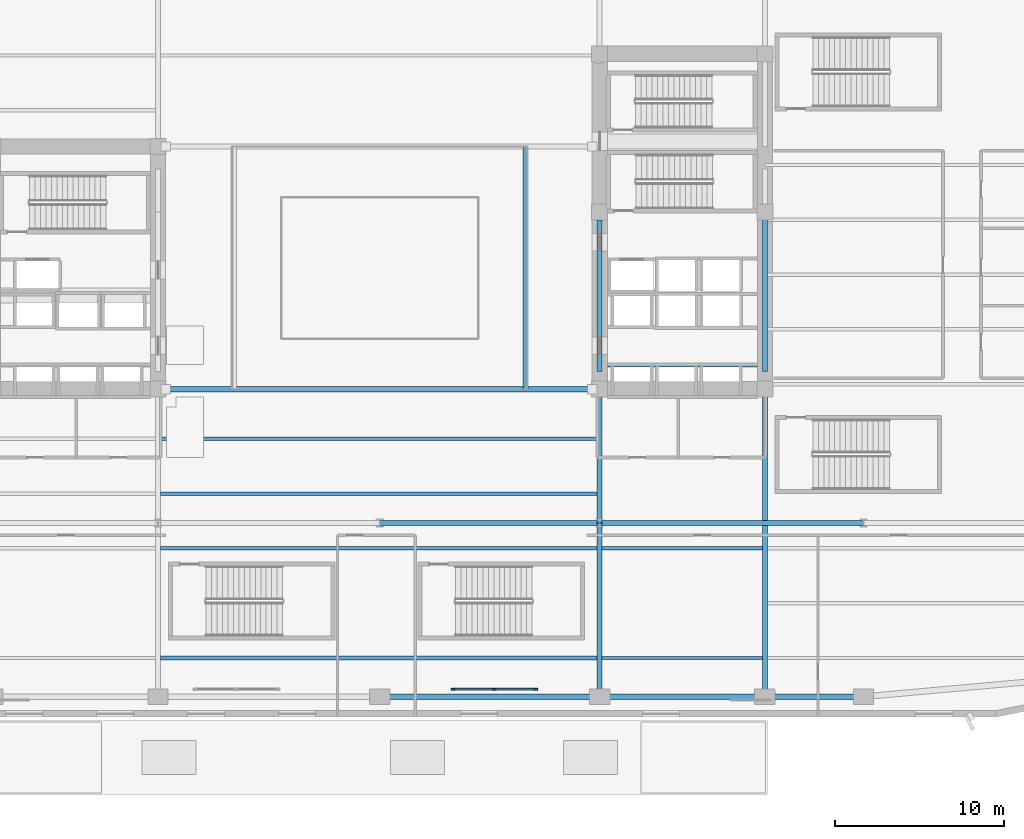
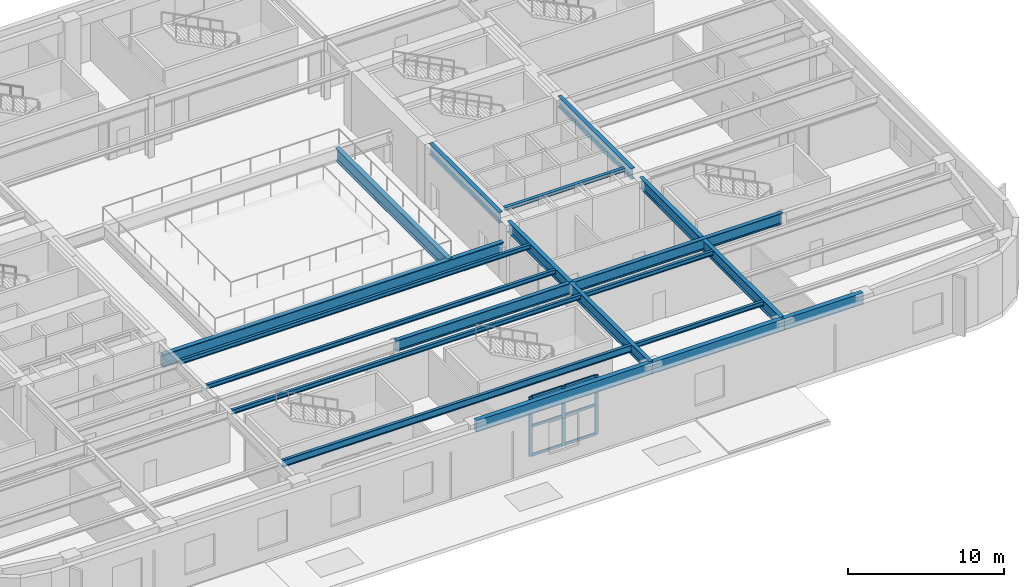
# One storey, part 3 of 24: 20 beams, 9 members, 1 element without a shape of its own.
"""IFC4 building model written with IfcOpenShell, lengths in metres."""

from ifc_helpers import new_model, si_unit, direction, frame, origin, origin_2d, place, context, subcontext, project, spatial, rectangle, hollow_rectangle, i_section, extrude, material, material_profile, profile_set, type_object, element, aggregate, save


model = new_model("IFC4")

# Units and contexts
model_context = context("Model", 3, precision=1e-05, world=origin(), true_north=direction((0.0, 1.0)))
body_context = subcontext(model_context, "Body", "Model", "MODEL_VIEW")
ifc_project = project(units=[si_unit("LENGTHUNIT", "METRE"), si_unit("AREAUNIT", "SQUARE_METRE"), si_unit("VOLUMEUNIT", "CUBIC_METRE"), si_unit("PLANEANGLEUNIT", "RADIAN"), si_unit("MASSUNIT", "GRAM", prefix="KILO")], contexts=[model_context])

# Site, building, storey
site_placement = place(None, origin())
site = spatial("IfcSite", under=ifc_project, at=site_placement, CompositionType="ELEMENT")
building_placement = place(site_placement, origin())
building = spatial("IfcBuilding", under=site, at=building_placement, Name="Kolvaren Arena Tower", CompositionType="ELEMENT")
storey_placement = place(building_placement, frame((0.0, 0.0, 8.0)))
storey = spatial("IfcBuildingStorey", under=building, at=storey_placement, Name="L01", CompositionType="ELEMENT", Elevation=8.0)

# Beam
ifc_material_1 = material(Name="Steel CSA G40.21 350W", Category="steel")
ifc_material_profile_1 = material_profile(ifc_material_1, i_section(OverallWidth=0.2119140625, OverallDepth=0.54296875, WebThickness=0.01318359375, FlangeThickness=0.0244140625, FilletRadius=0.013916015625, at=origin_2d()), Name="W530x150")
ifc_profile_set_1 = profile_set([ifc_material_profile_1], Name="Steel CSA G40.21 350W")
beam_type_1 = type_object("IfcBeamType", Name="BEAM-F1", PredefinedType="BEAM", material=ifc_profile_set_1)
beam_1_placement = place(storey_placement, frame((24.49609375, 3.5, 4.37841796875), z_axis=(1.0, 0.0, 0.0), x_axis=(0.0, 1.0, 0.0)))
element("IfcBeam", 1, at=beam_1_placement, inside=storey, type_object=beam_type_1, Name="Composite Floor Beam (L01)", PredefinedType="BEAM", context=body_context, shape_type="SweptSolid", body=[
    extrude(i_section(OverallWidth=0.2119140625, OverallDepth=0.54296875, WebThickness=0.01318359375, FlangeThickness=0.0244140625, FilletRadius=0.013916015625, at=origin_2d()), origin(), (0.0, 0.0, 1.0), 25.907958984375),
])

# Curtain wall, members
ifc_material_2 = material(Name="Anodised aluminium unitised curtain wall", Category="aluminium")
curtain_wall_type = type_object("IfcCurtainWallType", Name="CW-SYS-02", PredefinedType="USERDEFINED", material=ifc_material_2)
curtain_wall_placement = place(storey_placement, origin())
curtain_wall = element("IfcCurtainWall", 2, at=curtain_wall_placement, inside=storey, type_object=curtain_wall_type, Name="Arena Concourse Grand Portal Curtain Wall (L01)", ObjectType="UNITISED CURTAIN WALL", PredefinedType="USERDEFINED")
ifc_material_3 = material(Name="Anodised aluminium 6063-T6", Category="aluminium")
ifc_material_profile_2 = material_profile(ifc_material_3, rectangle(XDim=0.10009765625, YDim=0.239990234375, at=origin_2d()), Name="ALU-100x240")
ifc_profile_set_2 = profile_set([ifc_material_profile_2], Name="Anodised aluminium 6063-T6")
member_type_1 = type_object("IfcMemberType", Name="CWM-HVY", PredefinedType="MULLION", material=ifc_profile_set_2)
member_1_placement = place(storey_placement, frame((41.85009765625, 1.64990234375, 0.0), z_axis=(0.0, 0.0, 1.0), x_axis=(0.0, 1.0, 0.0)))
member_1 = element("IfcMember", 3, at=member_1_placement, type_object=member_type_1, Name="CW2 mullion 1", PredefinedType="MULLION", context=body_context, shape_type="SweptSolid", body=[
    extrude(rectangle(XDim=0.10009765625, YDim=0.239990234375, at=origin_2d()), origin(), (0.0, 0.0, 1.0), 4.64990234375),
])
member_2_placement = place(storey_placement, frame((44.300048828125, 1.64990234375, 0.0), z_axis=(0.0, 0.0, 1.0), x_axis=(0.0, 1.0, 0.0)))
member_2 = element("IfcMember", 4, at=member_2_placement, type_object=member_type_1, Name="CW2 mullion 2", PredefinedType="MULLION", context=body_context, shape_type="SweptSolid", body=[
    extrude(rectangle(XDim=0.10009765625, YDim=0.239990234375, at=origin_2d()), origin(), (0.0, 0.0, 1.0), 4.64990234375),
])
member_3_placement = place(storey_placement, frame((46.75, 1.64990234375, 0.0), z_axis=(0.0, 0.0, 1.0), x_axis=(0.0, 1.0, 0.0)))
member_3 = element("IfcMember", 5, at=member_3_placement, type_object=member_type_1, Name="CW2 mullion 3", PredefinedType="MULLION", context=body_context, shape_type="SweptSolid", body=[
    extrude(rectangle(XDim=0.10009765625, YDim=0.239990234375, at=origin_2d()), origin(), (0.0, 0.0, 1.0), 4.64990234375),
])
ifc_material_profile_3 = material_profile(ifc_material_3, rectangle(XDim=0.10009765625, YDim=0.199951171875, at=origin_2d()), Name="ALU-100x200")
ifc_profile_set_3 = profile_set([ifc_material_profile_3], Name="Anodised aluminium 6063-T6")
member_type_2 = type_object("IfcMemberType", Name="CWT-HVY", PredefinedType="USERDEFINED", material=ifc_profile_set_3)
member_4_placement = place(storey_placement, frame((41.89990234375, 1.64990234375, 0.050048828125), z_axis=(1.0, 0.0, 0.0), x_axis=(0.0, 1.0, 0.0)))
member_4 = element("IfcMember", 6, at=member_4_placement, type_object=member_type_2, Name="CW2 transom 1.1", ObjectType="TRANSOM", PredefinedType="USERDEFINED", context=body_context, shape_type="SweptSolid", body=[
    extrude(rectangle(XDim=0.10009765625, YDim=0.199951171875, at=origin_2d()), origin(), (0.0, 0.0, 1.0), 2.35009765625),
])
member_5_placement = place(storey_placement, frame((41.89990234375, 1.64990234375, 2.324951171875), z_axis=(1.0, 0.0, 0.0), x_axis=(0.0, 1.0, 0.0)))
member_5 = element("IfcMember", 7, at=member_5_placement, type_object=member_type_2, Name="CW2 transom 1.2", ObjectType="TRANSOM", PredefinedType="USERDEFINED", context=body_context, shape_type="SweptSolid", body=[
    extrude(rectangle(XDim=0.10009765625, YDim=0.199951171875, at=origin_2d()), origin(), (0.0, 0.0, 1.0), 2.35009765625),
])
member_6_placement = place(storey_placement, frame((41.89990234375, 1.64990234375, 4.60009765625), z_axis=(1.0, 0.0, 0.0), x_axis=(0.0, 1.0, 0.0)))
member_6 = element("IfcMember", 8, at=member_6_placement, type_object=member_type_2, Name="CW2 transom 1.3", ObjectType="TRANSOM", PredefinedType="USERDEFINED", context=body_context, shape_type="SweptSolid", body=[
    extrude(rectangle(XDim=0.10009765625, YDim=0.199951171875, at=origin_2d()), origin(), (0.0, 0.0, 1.0), 2.35009765625),
])
member_7_placement = place(storey_placement, frame((44.35009765625, 1.64990234375, 0.050048828125), z_axis=(1.0, 0.0, 0.0), x_axis=(0.0, 1.0, 0.0)))
member_7 = element("IfcMember", 9, at=member_7_placement, type_object=member_type_2, Name="CW2 transom 2.1", ObjectType="TRANSOM", PredefinedType="USERDEFINED", context=body_context, shape_type="SweptSolid", body=[
    extrude(rectangle(XDim=0.10009765625, YDim=0.199951171875, at=origin_2d()), origin(), (0.0, 0.0, 1.0), 2.349853515625),
])
member_8_placement = place(storey_placement, frame((44.35009765625, 1.64990234375, 2.324951171875), z_axis=(1.0, 0.0, 0.0), x_axis=(0.0, 1.0, 0.0)))
member_8 = element("IfcMember", 10, at=member_8_placement, type_object=member_type_2, Name="CW2 transom 2.2", ObjectType="TRANSOM", PredefinedType="USERDEFINED", context=body_context, shape_type="SweptSolid", body=[
    extrude(rectangle(XDim=0.10009765625, YDim=0.199951171875, at=origin_2d()), origin(), (0.0, 0.0, 1.0), 2.349853515625),
])
member_9_placement = place(storey_placement, frame((44.35009765625, 1.64990234375, 4.60009765625), z_axis=(1.0, 0.0, 0.0), x_axis=(0.0, 1.0, 0.0)))
member_9 = element("IfcMember", 11, at=member_9_placement, type_object=member_type_2, Name="CW2 transom 2.3", ObjectType="TRANSOM", PredefinedType="USERDEFINED", context=body_context, shape_type="SweptSolid", body=[
    extrude(rectangle(XDim=0.10009765625, YDim=0.199951171875, at=origin_2d()), origin(), (0.0, 0.0, 1.0), 2.349853515625),
])
aggregate(curtain_wall, [member_1, member_2, member_3, member_4, member_5, member_6, member_7, member_8, member_9])

# Beams
ifc_material_profile_4 = material_profile(ifc_material_1, i_section(OverallWidth=0.2919921875, OverallDepth=0.85498046875, WebThickness=0.02099609375, FlangeThickness=0.03564453125, FilletRadius=0.01806640625, at=origin_2d()), Name="W840x299")
ifc_profile_set_4 = profile_set([ifc_material_profile_4], Name="Steel CSA G40.21 350W")
beam_type_2 = type_object("IfcBeamType", Name="GIRD-P1", PredefinedType="BEAM", material=ifc_profile_set_4)
beam_2_placement = place(storey_placement, frame((37.5, 11.5, 4.222412109375), z_axis=(1.0, 0.0, 0.0), x_axis=(0.0, 1.0, 0.0)))
element("IfcBeam", 12, at=beam_2_placement, inside=storey, type_object=beam_type_2, Name="Primary Floor Girder (L01)", PredefinedType="BEAM", context=body_context, shape_type="SweptSolid", body=[
    extrude(i_section(OverallWidth=0.2919921875, OverallDepth=0.85498046875, WebThickness=0.02099609375, FlangeThickness=0.03564453125, FilletRadius=0.01806640625, at=origin_2d()), origin(), (0.0, 0.0, 1.0), 13.050048828125),
])
beam_3_placement = place(storey_placement, frame((50.550048828125, 11.5, 4.222412109375), z_axis=(1.0, 0.0, 0.0), x_axis=(0.0, 1.0, 0.0)))
element("IfcBeam", 13, at=beam_3_placement, inside=storey, type_object=beam_type_2, Name="Primary Floor Girder (L01)", PredefinedType="BEAM", context=body_context, shape_type="SweptSolid", body=[
    extrude(i_section(OverallWidth=0.2919921875, OverallDepth=0.85498046875, WebThickness=0.02099609375, FlangeThickness=0.03564453125, FilletRadius=0.01806640625, at=origin_2d()), origin(), (0.0, 0.0, 1.0), 15.64990234375),
])
beam_4_placement = place(storey_placement, frame((50.550048828125, 1.199951171875, 4.222412109375), z_axis=(0.0, 1.0, 0.0), x_axis=(-1.0, 0.0, 0.0)))
element("IfcBeam", 14, at=beam_4_placement, inside=storey, type_object=beam_type_2, Name="Primary Floor Girder (L01)", PredefinedType="BEAM", context=body_context, shape_type="SweptSolid", body=[
    extrude(i_section(OverallWidth=0.2919921875, OverallDepth=0.85498046875, WebThickness=0.02099609375, FlangeThickness=0.03564453125, FilletRadius=0.01806640625, at=origin_2d()), origin(), (0.0, 0.0, 1.0), 10.300048828125),
])
beam_5_placement = place(storey_placement, frame((50.550048828125, 11.5, 4.222412109375), z_axis=(0.0, 1.0, 0.0), x_axis=(-1.0, 0.0, 0.0)))
element("IfcBeam", 15, at=beam_5_placement, inside=storey, type_object=beam_type_2, Name="Primary Floor Girder (L01)", PredefinedType="BEAM", context=body_context, shape_type="SweptSolid", body=[
    extrude(i_section(OverallWidth=0.2919921875, OverallDepth=0.85498046875, WebThickness=0.02099609375, FlangeThickness=0.03564453125, FilletRadius=0.01806640625, at=origin_2d()), origin(), (0.0, 0.0, 1.0), 7.949951171875),
])
beam_6_placement = place(storey_placement, frame((50.550048828125, 20.5, 4.222412109375), z_axis=(0.0, 1.0, 0.0), x_axis=(-1.0, 0.0, 0.0)))
element("IfcBeam", 16, at=beam_6_placement, inside=storey, type_object=beam_type_2, Name="Primary Floor Girder (L01)", PredefinedType="BEAM", context=body_context, shape_type="SweptSolid", body=[
    extrude(i_section(OverallWidth=0.2919921875, OverallDepth=0.85498046875, WebThickness=0.02099609375, FlangeThickness=0.03564453125, FilletRadius=0.01806640625, at=origin_2d()), origin(), (0.0, 0.0, 1.0), 8.989990234375),
])
beam_7_placement = place(storey_placement, frame((60.35009765625, 1.199951171875, 4.222412109375), z_axis=(0.0, 1.0, 0.0), x_axis=(-1.0, 0.0, 0.0)))
element("IfcBeam", 17, at=beam_7_placement, inside=storey, type_object=beam_type_2, Name="Primary Floor Girder (L01)", PredefinedType="BEAM", context=body_context, shape_type="SweptSolid", body=[
    extrude(i_section(OverallWidth=0.2919921875, OverallDepth=0.85498046875, WebThickness=0.02099609375, FlangeThickness=0.03564453125, FilletRadius=0.01806640625, at=origin_2d()), origin(), (0.0, 0.0, 1.0), 10.154052734375),
])
beam_8_placement = place(storey_placement, frame((60.35009765625, 11.64599609375, 4.222412109375), z_axis=(0.0, 1.0, 0.0), x_axis=(-1.0, 0.0, 0.0)))
element("IfcBeam", 18, at=beam_8_placement, inside=storey, type_object=beam_type_2, Name="Primary Floor Girder (L01)", PredefinedType="BEAM", context=body_context, shape_type="SweptSolid", body=[
    extrude(i_section(OverallWidth=0.2919921875, OverallDepth=0.85498046875, WebThickness=0.02099609375, FlangeThickness=0.03564453125, FilletRadius=0.01806640625, at=origin_2d()), origin(), (0.0, 0.0, 1.0), 7.803955078125),
])
beam_9_placement = place(storey_placement, frame((60.35009765625, 20.5, 4.222412109375), z_axis=(0.0, 1.0, 0.0), x_axis=(-1.0, 0.0, 0.0)))
element("IfcBeam", 19, at=beam_9_placement, inside=storey, type_object=beam_type_2, Name="Primary Floor Girder (L01)", PredefinedType="BEAM", context=body_context, shape_type="SweptSolid", body=[
    extrude(i_section(OverallWidth=0.2919921875, OverallDepth=0.85498046875, WebThickness=0.02099609375, FlangeThickness=0.03564453125, FilletRadius=0.01806640625, at=origin_2d()), origin(), (0.0, 0.0, 1.0), 9.449951171875),
])
ifc_material_profile_5 = material_profile(ifc_material_1, i_section(OverallWidth=0.202880859375, OverallDepth=0.346923828125, WebThickness=0.0078125, FlangeThickness=0.013427734375, FilletRadius=0.010986328125, at=origin_2d()), Name="W360x64")
ifc_profile_set_5 = profile_set([ifc_material_profile_5], Name="Steel CSA G40.21 350W")
beam_type_3 = type_object("IfcBeamType", Name="JOIST-01", PredefinedType="JOIST", material=ifc_profile_set_5)
beam_10_placement = place(storey_placement, frame((50.696044921875, 3.5, 4.4765625), z_axis=(1.0, 0.0, 0.0), x_axis=(0.0, 1.0, 0.0)))
element("IfcBeam", 20, at=beam_10_placement, inside=storey, type_object=beam_type_3, Name="Composite Floor Joist (L01)", PredefinedType="JOIST", context=body_context, shape_type="SweptSolid", body=[
    extrude(i_section(OverallWidth=0.202880859375, OverallDepth=0.346923828125, WebThickness=0.0078125, FlangeThickness=0.013427734375, FilletRadius=0.010986328125, at=origin_2d()), origin(), (0.0, 0.0, 1.0), 9.508056640625),
])
beam_11_placement = place(storey_placement, frame((24.49609375, 10.0, 4.4765625), z_axis=(1.0, 0.0, 0.0), x_axis=(0.0, 1.0, 0.0)))
element("IfcBeam", 21, at=beam_11_placement, inside=storey, type_object=beam_type_3, Name="Composite Floor Joist (L01)", PredefinedType="JOIST", context=body_context, shape_type="SweptSolid", body=[
    extrude(i_section(OverallWidth=0.202880859375, OverallDepth=0.346923828125, WebThickness=0.0078125, FlangeThickness=0.013427734375, FilletRadius=0.010986328125, at=origin_2d()), origin(), (0.0, 0.0, 1.0), 25.907958984375),
])
beam_12_placement = place(storey_placement, frame((50.696044921875, 10.0, 4.4765625), z_axis=(1.0, 0.0, 0.0), x_axis=(0.0, 1.0, 0.0)))
element("IfcBeam", 22, at=beam_12_placement, inside=storey, type_object=beam_type_3, Name="Composite Floor Joist (L01)", PredefinedType="JOIST", context=body_context, shape_type="SweptSolid", body=[
    extrude(i_section(OverallWidth=0.202880859375, OverallDepth=0.346923828125, WebThickness=0.0078125, FlangeThickness=0.013427734375, FilletRadius=0.010986328125, at=origin_2d()), origin(), (0.0, 0.0, 1.0), 9.508056640625),
])
for number, where, z_axis, x_axis, name in (
    (23, (24.49609375, 13.25, 4.4765625), (1.0, 0.0, 0.0), (0.0, 1.0, 0.0), "Composite Floor Joist (L01)"),
    (24, (24.49609375, 16.5, 4.4765625), (1.0, 0.0, 0.0), (0.0, 1.0, 0.0), "Composite Floor Joist (L01)"),
):
    element("IfcBeam", number, at=place(storey_placement, frame(where, z_axis=z_axis, x_axis=x_axis)), inside=storey, type_object=beam_type_3, Name=name, PredefinedType="JOIST", context=body_context, shape_type="SweptSolid", body=[
        extrude(i_section(OverallWidth=0.202880859375, OverallDepth=0.346923828125, WebThickness=0.0078125, FlangeThickness=0.013427734375, FilletRadius=0.010986328125, at=origin_2d()), origin(), (0.0, 0.0, 1.0), 25.907958984375),
    ])
ifc_material_profile_6 = material_profile(ifc_material_1, i_section(OverallWidth=0.25390625, OverallDepth=0.2529296875, WebThickness=0.008544921875, FlangeThickness=0.01416015625, FilletRadius=0.010009765625, at=origin_2d()), Name="W250x73")
ifc_profile_set_6 = profile_set([ifc_material_profile_6], Name="Steel CSA G40.21 350W")
beam_type_4 = type_object("IfcBeamType", Name="LINT-02", PredefinedType="LINTEL", material=ifc_profile_set_6)
beam_13_placement = place(storey_placement, frame((51.0, 20.8798828125, 4.5234375), z_axis=(1.0, 0.0, 0.0), x_axis=(0.0, 1.0, 0.0)))
element("IfcBeam", 25, at=beam_13_placement, inside=storey, type_object=beam_type_4, Name="East Lift Lobby Portal Lintel (L01)", PredefinedType="LINTEL", context=body_context, shape_type="SweptSolid", body=[
    extrude(i_section(OverallWidth=0.25390625, OverallDepth=0.2529296875, WebThickness=0.008544921875, FlangeThickness=0.01416015625, FilletRadius=0.010009765625, at=origin_2d()), origin(), (0.0, 0.0, 1.0), 8.89990234375),
])
ifc_material_profile_7 = material_profile(ifc_material_1, i_section(OverallWidth=0.323974609375, OverallDepth=1.011962890625, WebThickness=0.02685546875, FlangeThickness=0.0458984375, FilletRadius=0.02197265625, at=origin_2d()), Name="W1000x443")
ifc_profile_set_7 = profile_set([ifc_material_profile_7], Name="Steel CSA G40.21 350W")
beam_type_5 = type_object("IfcBeamType", Name="RAKER-01", PredefinedType="USERDEFINED", material=ifc_profile_set_7)
beam_14_placement = place(storey_placement, frame((24.800048828125, 19.449951171875, 2.68408203125), z_axis=(1.0, 0.0, 0.0), x_axis=(0.0, 1.0, 0.0)))
element("IfcBeam", 26, at=beam_14_placement, inside=storey, type_object=beam_type_5, Name="Arena Bowl Raker Girder (L01 S)", ObjectType="RAKER GIRDER", PredefinedType="USERDEFINED", context=body_context, shape_type="SweptSolid", body=[
    extrude(i_section(OverallWidth=0.323974609375, OverallDepth=1.011962890625, WebThickness=0.02685546875, FlangeThickness=0.0458984375, FilletRadius=0.02197265625, at=origin_2d()), origin(), (0.0, 0.0, 1.0), 25.300048828125),
])
beam_15_placement = place(storey_placement, frame((46.14990234375, 19.449951171875, 2.68408203125), z_axis=(0.0, 1.0, 0.0), x_axis=(-1.0, 0.0, 0.0)))
element("IfcBeam", 27, at=beam_15_placement, inside=storey, type_object=beam_type_5, Name="Arena Bowl Raker Girder (L01 E)", ObjectType="RAKER GIRDER", PredefinedType="USERDEFINED", context=body_context, shape_type="SweptSolid", body=[
    extrude(i_section(OverallWidth=0.323974609375, OverallDepth=1.011962890625, WebThickness=0.02685546875, FlangeThickness=0.0458984375, FilletRadius=0.02197265625, at=origin_2d()), origin(), (0.0, 0.0, 1.0), 14.400146484375),
])
ifc_material_4 = material(Name="Steel CSA G40.21 350WT", Category="steel")
ifc_material_profile_8 = material_profile(ifc_material_4, hollow_rectangle(XDim=0.35009765625, YDim=0.89990234375, WallThickness=0.02001953125, at=origin_2d()), Name="HSS 900x350x20")
ifc_profile_set_8 = profile_set([ifc_material_profile_8], Name="Steel CSA G40.21 350WT")
beam_type_6 = type_object("IfcBeamType", Name="SPAND-01", PredefinedType="SPANDREL", material=ifc_profile_set_8)
beam_16_placement = place(storey_placement, frame((37.5, 1.199951171875, 4.199951171875), z_axis=(1.0, 0.0, 0.0), x_axis=(0.0, 1.0, 0.0)))
element("IfcBeam", 28, at=beam_16_placement, inside=storey, type_object=beam_type_6, Name="Perimeter Spandrel Beam (L01)", PredefinedType="SPANDREL", context=body_context, shape_type="SweptSolid", body=[
    extrude(hollow_rectangle(XDim=0.35009765625, YDim=0.89990234375, WallThickness=0.02001953125, at=origin_2d()), origin(), (0.0, 0.0, 1.0), 13.050048828125),
])
beam_17_placement = place(storey_placement, frame((50.550048828125, 1.199951171875, 4.199951171875), z_axis=(1.0, 0.0, 0.0), x_axis=(0.0, 1.0, 0.0)))
element("IfcBeam", 29, at=beam_17_placement, inside=storey, type_object=beam_type_6, Name="Perimeter Spandrel Beam (L01)", PredefinedType="SPANDREL", context=body_context, shape_type="SweptSolid", body=[
    extrude(hollow_rectangle(XDim=0.35009765625, YDim=0.89990234375, WallThickness=0.02001953125, at=origin_2d()), origin(), (0.0, 0.0, 1.0), 9.800048828125),
])
beam_18_placement = place(storey_placement, frame((60.35009765625, 1.199951171875, 4.199951171875), z_axis=(1.0, 0.0, 0.0), x_axis=(0.0, 1.0, 0.0)))
element("IfcBeam", 30, at=beam_18_placement, inside=storey, type_object=beam_type_6, Name="Perimeter Spandrel Beam (L01)", PredefinedType="SPANDREL", context=body_context, shape_type="SweptSolid", body=[
    extrude(hollow_rectangle(XDim=0.35009765625, YDim=0.89990234375, WallThickness=0.02001953125, at=origin_2d()), origin(), (0.0, 0.0, 1.0), 5.849853515625),
])

save(model, "model.ifc")
